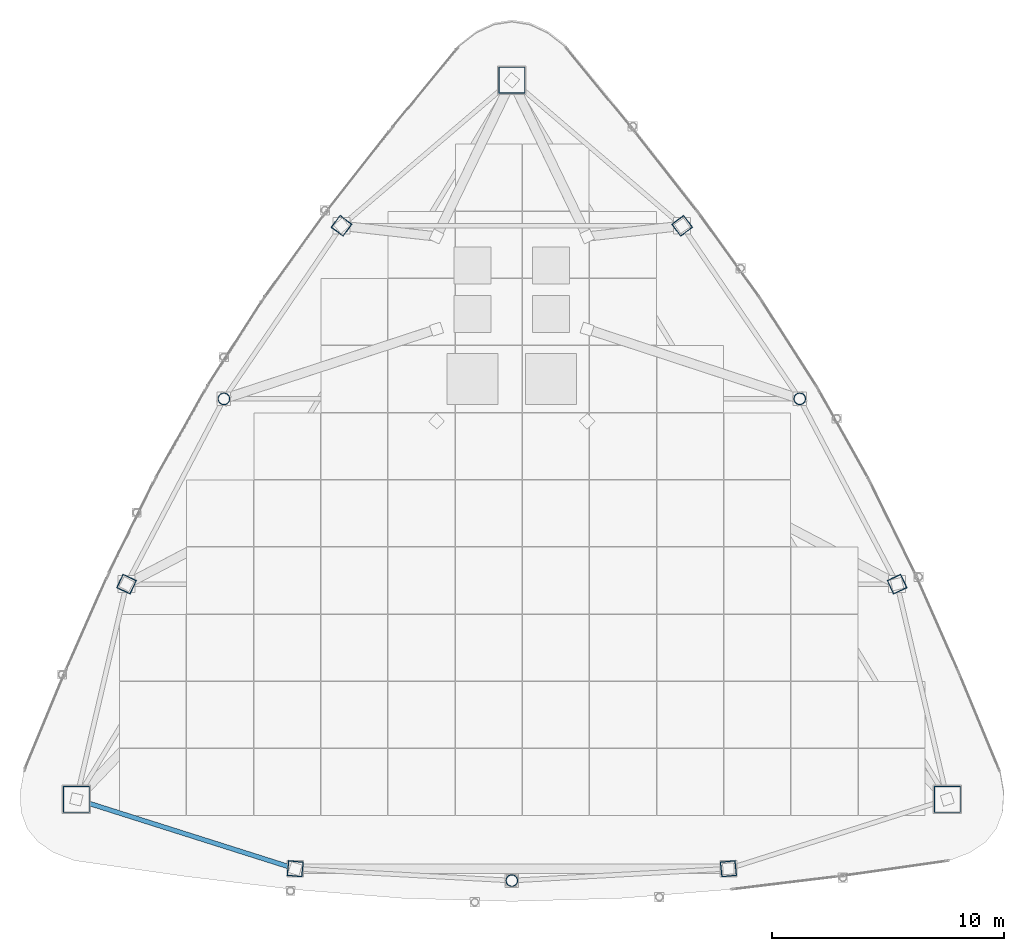
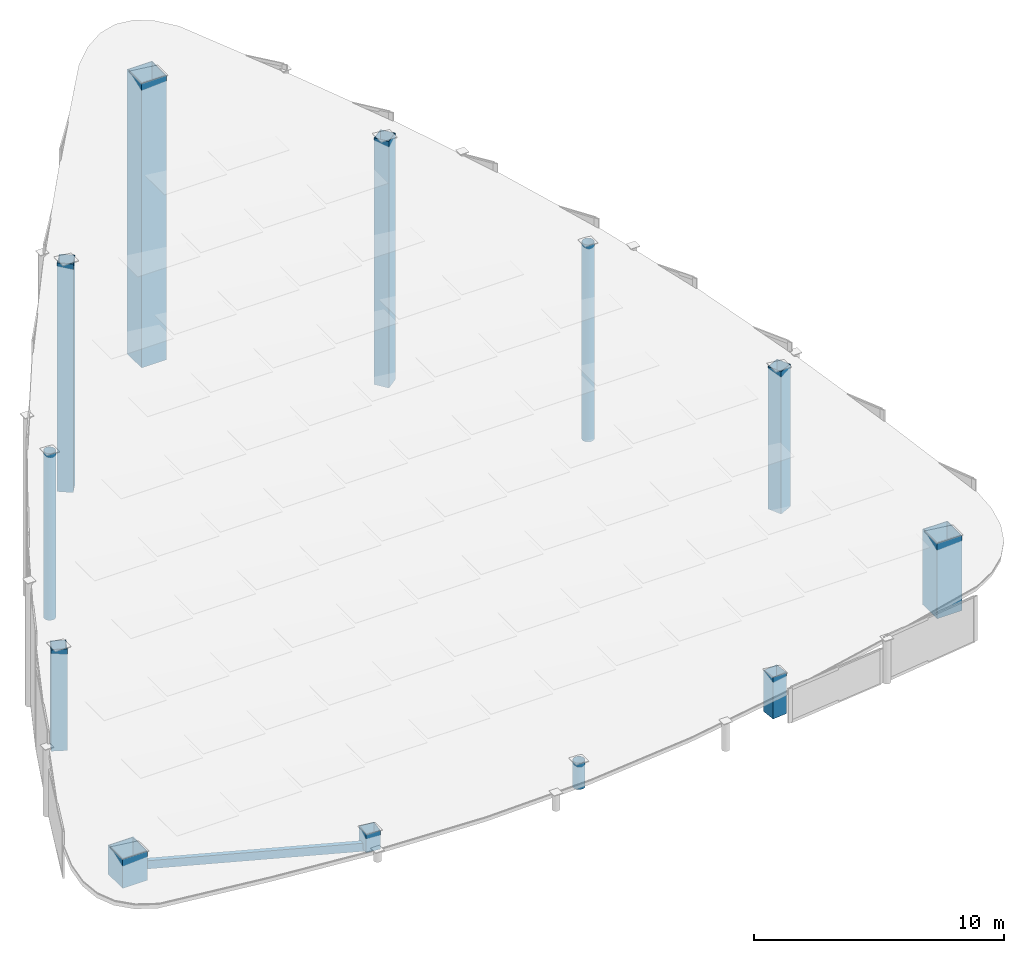
# One storey, part 1 of 21: 12 columns, 1 member.
"""IFC4 building model written with IfcOpenShell, lengths in metres."""

from ifc_helpers import new_model, si_unit, direction, frame, origin, origin_2d, place, context, subcontext, project, spatial, hollow_rectangle, hollow_circle, extrude, material, material_profile, profile_set, type_object, element, save


model = new_model("IFC4")

# Units and contexts
model_context = context("Model", 3, precision=1e-05, world=origin(), true_north=direction((0.0, 1.0)))
body_context = subcontext(model_context, "Body", "Model", "MODEL_VIEW")
ifc_project = project(units=[si_unit("LENGTHUNIT", "METRE"), si_unit("AREAUNIT", "SQUARE_METRE"), si_unit("VOLUMEUNIT", "CUBIC_METRE"), si_unit("PLANEANGLEUNIT", "RADIAN"), si_unit("MASSUNIT", "GRAM", prefix="KILO")], contexts=[model_context])

# Site, building, storey
site_placement = place(None, origin())
site = spatial("IfcSite", under=ifc_project, at=site_placement, CompositionType="ELEMENT")
building_placement = place(site_placement, origin())
building = spatial("IfcBuilding", under=site, at=building_placement, Name="Orvanel Arch Residences", CompositionType="ELEMENT")
storey_placement = place(building_placement, frame((0.0, 0.0, 314.89990234375)))
storey = spatial("IfcBuildingStorey", under=building, at=storey_placement, Name="RF", CompositionType="ELEMENT", Elevation=314.89990234375)

# Columns
ifc_material_1 = material(Name="Structural steel AS/NZS 1163 C350L0 (Grade 350)", Category="steel")
ifc_material_profile_1 = material_profile(ifc_material_1, hollow_circle(Radius=0.25390625, WallThickness=0.01611328125, at=origin_2d()), Name="CHS508x16")
ifc_profile_set_1 = profile_set([ifc_material_profile_1], Name="Structural steel AS/NZS 1163 C350L0 (Grade 350)")
column_type_1 = type_object("IfcColumnType", Name="CC-508", PredefinedType="COLUMN", material=ifc_profile_set_1)
column_1_placement = place(storey_placement, frame((20.569091796875, 27.64111328125, 0.0), z_axis=(0.0, 0.0, 1.0), x_axis=(1.0, 0.0, 0.0)))
element("IfcColumn", 1, at=column_1_placement, inside=storey, type_object=column_type_1, Name="RF Crown Tube Column 02", PredefinedType="COLUMN", context=body_context, shape_type="SweptSolid", body=[
    extrude(hollow_circle(Radius=0.25390625, WallThickness=0.01611328125, at=origin_2d()), origin(), (0.0, 0.0, 1.0), 8.128173828125),
])
column_2_placement = place(storey_placement, frame((33.0, 6.843994140625, 0.0), z_axis=(0.0, 0.0, 1.0), x_axis=(1.0, 0.0, 0.0)))
element("IfcColumn", 2, at=column_2_placement, inside=storey, type_object=column_type_1, Name="RF Crown Tube Column 05", PredefinedType="COLUMN", context=body_context, shape_type="SweptSolid", body=[
    extrude(hollow_circle(Radius=0.25390625, WallThickness=0.01611328125, at=origin_2d()), origin(), (0.0, 0.0, 1.0), 1.283203125),
])
column_3_placement = place(storey_placement, frame((45.430908203125, 27.64111328125, 0.0), z_axis=(0.0, 0.0, 1.0), x_axis=(1.0, 0.0, 0.0)))
element("IfcColumn", 3, at=column_3_placement, inside=storey, type_object=column_type_1, Name="RF Crown Tube Column 08", PredefinedType="COLUMN", context=body_context, shape_type="SweptSolid", body=[
    extrude(hollow_circle(Radius=0.25390625, WallThickness=0.01611328125, at=origin_2d()), origin(), (0.0, 0.0, 1.0), 9.619140625),
])
ifc_material_2 = material(Name="Structural steel AS/NZS 3678 Grade 450", Category="steel")
ifc_material_profile_2 = material_profile(ifc_material_2, hollow_rectangle(XDim=1.14990234375, YDim=1.14990234375, WallThickness=0.035888671875, at=origin_2d()), Name="BOX1150x1150x36")
ifc_profile_set_2 = profile_set([ifc_material_profile_2], Name="Structural steel AS/NZS 3678 Grade 450")
column_type_2 = type_object("IfcColumnType", Name="MC-1150", PredefinedType="COLUMN", material=ifc_profile_set_2)
column_4_placement = place(storey_placement, frame((33.0, 41.39794921875, 0.0), z_axis=(0.0, 0.0, 1.0), x_axis=(1.0, 0.0, 0.0)))
element("IfcColumn", 4, at=column_4_placement, inside=storey, type_object=column_type_2, Name="RF Crown Mega-Column 1", PredefinedType="COLUMN", context=body_context, shape_type="SweptSolid", body=[
    extrude(hollow_rectangle(XDim=1.14990234375, YDim=1.14990234375, WallThickness=0.035888671875, at=origin_2d()), origin(), (0.0, 0.0, 1.0), 13.89501953125),
])
column_5_placement = place(storey_placement, frame((14.198974609375, 10.35107421875, 0.0), z_axis=(0.0, 0.0, 1.0), x_axis=(1.0, 0.0, 0.0)))
element("IfcColumn", 5, at=column_5_placement, inside=storey, type_object=column_type_2, Name="RF Crown Mega-Column 2", PredefinedType="COLUMN", context=body_context, shape_type="SweptSolid", body=[
    extrude(hollow_rectangle(XDim=1.14990234375, YDim=1.14990234375, WallThickness=0.035888671875, at=origin_2d()), origin(), (0.0, 0.0, 1.0), 1.43505859375),
])
column_6_placement = place(storey_placement, frame((51.801025390625, 10.35107421875, 0.0), z_axis=(0.0, 0.0, 1.0), x_axis=(1.0, 0.0, 0.0)))
element("IfcColumn", 6, at=column_6_placement, inside=storey, type_object=column_type_2, Name="RF Crown Mega-Column 3", PredefinedType="COLUMN", context=body_context, shape_type="SweptSolid", body=[
    extrude(hollow_rectangle(XDim=1.14990234375, YDim=1.14990234375, WallThickness=0.035888671875, at=origin_2d()), origin(), (0.0, 0.0, 1.0), 3.691162109375),
])
ifc_material_3 = material(Name="Structural steel AS/NZS 3678 Grade 350", Category="steel")
ifc_material_profile_3 = material_profile(ifc_material_3, hollow_rectangle(XDim=0.64990234375, YDim=0.64990234375, WallThickness=0.02197265625, at=origin_2d()), Name="BOX650x650x22")
ifc_profile_set_3 = profile_set([ifc_material_profile_3], Name="Structural steel AS/NZS 3678 Grade 350")
column_type_3 = type_object("IfcColumnType", Name="TC-650", PredefinedType="COLUMN", material=ifc_profile_set_3)
column_7_placement = place(storey_placement, frame((25.64794921875, 35.113037109375, 0.0), z_axis=(0.0, 0.0, 1.0), x_axis=(0.600420225326, 0.799684658487, 0.0)))
element("IfcColumn", 7, at=column_7_placement, inside=storey, type_object=column_type_3, Name="RF Crown Tube Column 01", PredefinedType="COLUMN", context=body_context, shape_type="SweptSolid", body=[
    extrude(hollow_rectangle(XDim=0.64990234375, YDim=0.64990234375, WallThickness=0.02197265625, at=origin_2d()), origin(), (0.0, 0.0, 1.0), 11.16015625),
])
column_8_placement = place(storey_placement, frame((16.366943359375, 19.64208984375, 0.0), z_axis=(0.0, 0.0, 1.0), x_axis=(0.422618261741, 0.906307787037, 0.0)))
element("IfcColumn", 8, at=column_8_placement, inside=storey, type_object=column_type_3, Name="RF Crown Tube Column 03", PredefinedType="COLUMN", context=body_context, shape_type="SweptSolid", body=[
    extrude(hollow_rectangle(XDim=0.64990234375, YDim=0.64990234375, WallThickness=0.02197265625, at=origin_2d()), origin(), (0.0, 0.0, 1.0), 4.9560546875),
])
column_9_placement = place(storey_placement, frame((23.64892578125, 7.35498046875, 0.0), z_axis=(0.0, 0.0, 1.0), x_axis=(-0.994880708829, 0.101056297183, 0.0)))
element("IfcColumn", 9, at=column_9_placement, inside=storey, type_object=column_type_3, Name="RF Crown Tube Column 04", PredefinedType="COLUMN", context=body_context, shape_type="SweptSolid", body=[
    extrude(hollow_rectangle(XDim=0.64990234375, YDim=0.64990234375, WallThickness=0.02197265625, at=origin_2d()), origin(), (0.0, 0.0, 1.0), 0.908203125),
])
column_10_placement = place(storey_placement, frame((42.35107421875, 7.35498046875, 0.0), z_axis=(0.0, 0.0, 1.0), x_axis=(0.994880708829, 0.101056297183, 0.0)))
element("IfcColumn", 10, at=column_10_placement, inside=storey, type_object=column_type_3, Name="RF Crown Tube Column 06", PredefinedType="COLUMN", context=body_context, shape_type="SweptSolid", body=[
    extrude(hollow_rectangle(XDim=0.64990234375, YDim=0.64990234375, WallThickness=0.02197265625, at=origin_2d()), origin(), (0.0, 0.0, 1.0), 2.030029296875),
])
column_11_placement = place(storey_placement, frame((49.633056640625, 19.64208984375, 0.0), z_axis=(0.0, 0.0, 1.0), x_axis=(-0.422618261741, 0.906307787037, 0.0)))
element("IfcColumn", 11, at=column_11_placement, inside=storey, type_object=column_type_3, Name="RF Crown Tube Column 07", PredefinedType="COLUMN", context=body_context, shape_type="SweptSolid", body=[
    extrude(hollow_rectangle(XDim=0.64990234375, YDim=0.64990234375, WallThickness=0.02197265625, at=origin_2d()), origin(), (0.0, 0.0, 1.0), 6.9521484375),
])
column_12_placement = place(storey_placement, frame((40.35205078125, 35.113037109375, 0.0), z_axis=(0.0, 0.0, 1.0), x_axis=(-0.600420225326, 0.799684658487, 0.0)))
element("IfcColumn", 12, at=column_12_placement, inside=storey, type_object=column_type_3, Name="RF Crown Tube Column 09", PredefinedType="COLUMN", context=body_context, shape_type="SweptSolid", body=[
    extrude(hollow_rectangle(XDim=0.64990234375, YDim=0.64990234375, WallThickness=0.02197265625, at=origin_2d()), origin(), (0.0, 0.0, 1.0), 12.0419921875),
])

# Member
ifc_material_profile_4 = material_profile(ifc_material_1, hollow_rectangle(XDim=0.199951171875, YDim=0.39990234375, WallThickness=0.012451171875, at=origin_2d()), Name="RHS400x200x12.5")
ifc_profile_set_4 = profile_set([ifc_material_profile_4], Name="Structural steel AS/NZS 1163 C350L0 (Grade 350)")
member_type = type_object("IfcMemberType", Name="RF-400RHS-EXT", PredefinedType="RAFTER", material=ifc_profile_set_4)
member_placement = place(storey_placement, frame((14.198974609375, 10.35107421875, 0.59521484375), z_axis=(0.95189282767, -0.301796284423, -0.053094701603), x_axis=(0.302222574941, 0.953237386592, 0.0)))
element("IfcMember", 13, at=member_placement, inside=storey, type_object=member_type, Name="RF Slanted Crown Outer Rim Rafter 03", PredefinedType="RAFTER", context=body_context, shape_type="SweptSolid", body=[
    extrude(hollow_rectangle(XDim=0.199951171875, YDim=0.39990234375, WallThickness=0.012451171875, at=origin_2d()), origin(), (0.0, 0.0, 1.0), 9.927490234375),
])

save(model, "model.ifc")
